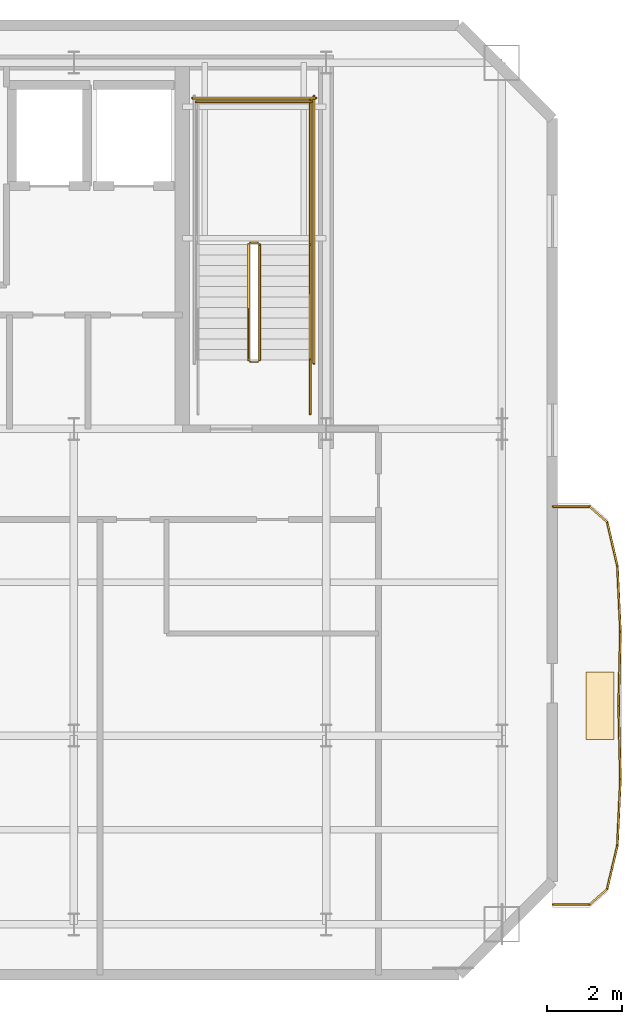
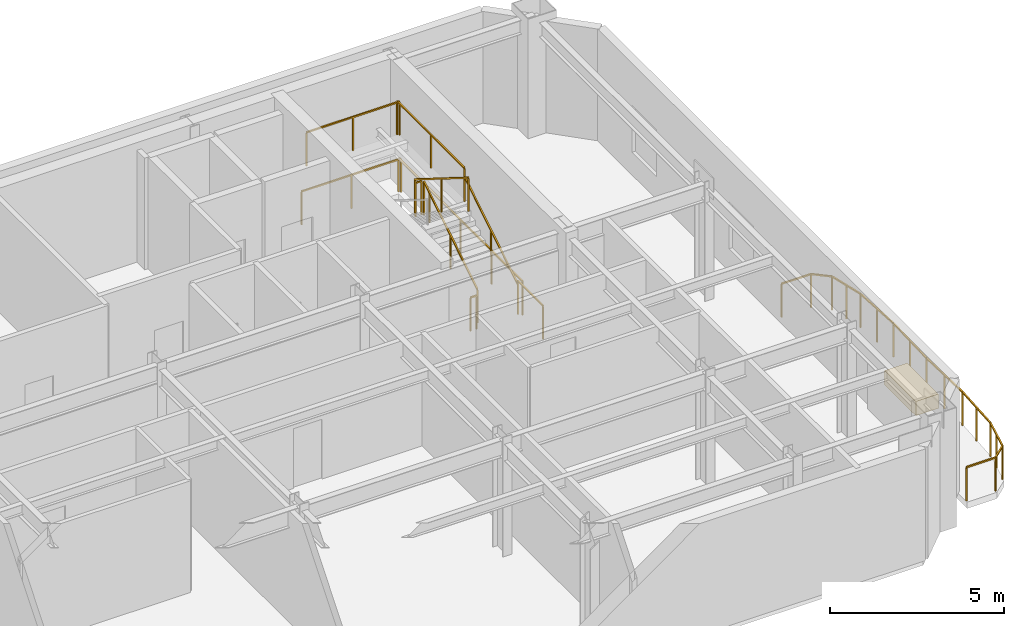
# One storey, part 6 of 6: 20 railings, 1 covering.
"""IFC4 building model written with IfcOpenShell, lengths in metres."""

from ifc_helpers import new_model, si_unit, direction, frame, origin, origin_2d, place, context, subcontext, project, spatial, rectangle, extrude, material, layer, layer_set, type_object, element, save


model = new_model("IFC4")

# Units and contexts
model_context = context("Model", 3, precision=1e-05, world=origin(), true_north=direction((0.0, 1.0)))
body_context = subcontext(model_context, "Body", "Model", "MODEL_VIEW")
ifc_project = project(units=[si_unit("LENGTHUNIT", "METRE"), si_unit("AREAUNIT", "SQUARE_METRE"), si_unit("VOLUMEUNIT", "CUBIC_METRE"), si_unit("PLANEANGLEUNIT", "RADIAN"), si_unit("MASSUNIT", "GRAM", prefix="KILO")], contexts=[model_context])

# Site, building, storey
site_placement = place(None, origin())
site = spatial("IfcSite", under=ifc_project, at=site_placement, CompositionType="ELEMENT")
building_placement = place(site_placement, origin())
building = spatial("IfcBuilding", under=site, at=building_placement, Name="Haevon Station Towers", CompositionType="ELEMENT")
storey_placement = place(building_placement, frame((0.0, 0.0, 265.800048828125)))
storey = spatial("IfcBuildingStorey", under=building, at=storey_placement, Name="L74", CompositionType="ELEMENT", Elevation=265.800048828125)

# Railings
ifc_material_1 = material(Name="Steel S355", Category="steel")
railing_type_1 = type_object("IfcRailingType", Name="GRD-EXT1200", PredefinedType="GUARDRAIL", material=ifc_material_1)
railing_1_placement = place(storey_placement, frame((57.0732421875, 25.477783203125, 0.0)))
element("IfcRailing", 1, at=railing_1_placement, inside=storey, type_object=railing_type_1, Name="L74 Perimeter Guardrail 1", PredefinedType="GUARDRAIL", context=body_context, shape_type="SweptSolid", body=[
    extrude(rectangle(XDim=0.048095703125, YDim=0.048095703125, at=origin_2d()), frame((0.0, 0.0, 1.17578125), z_axis=(0.999997457331, 0.002255068182, 0.0), x_axis=(-0.002255068182, 0.999997457331, 0.0)), (0.0, 0.0, 1.0), 0.974365234375),
    extrude(rectangle(XDim=0.0419921875, YDim=0.0419921875, at=origin_2d()), origin(), (0.0, 0.0, 1.0), 1.15185546875),
    extrude(rectangle(XDim=0.0419921875, YDim=0.0419921875, at=origin_2d()), frame((0.974365234375, 0.002197265625, 0.0)), (0.0, 0.0, 1.0), 1.15185546875),
])
railing_2_placement = place(storey_placement, frame((58.047607421875, 25.47998046875, 0.0)))
element("IfcRailing", 2, at=railing_2_placement, inside=storey, type_object=railing_type_1, Name="L74 Perimeter Guardrail 2", PredefinedType="GUARDRAIL", context=body_context, shape_type="SweptSolid", body=[
    extrude(rectangle(XDim=0.048095703125, YDim=0.048095703125, at=origin_2d()), frame((0.0, 0.0, 1.17578125), z_axis=(0.75114132287, 0.660141434146, 0.0), x_axis=(-0.660141434146, 0.75114132287, 0.0)), (0.0, 0.0, 1.0), 0.622314453125),
    extrude(rectangle(XDim=0.0419921875, YDim=0.0419921875, at=origin_2d()), origin(), (0.0, 0.0, 1.0), 1.15185546875),
    extrude(rectangle(XDim=0.0419921875, YDim=0.0419921875, at=origin_2d()), frame((0.467529296875, 0.410888671875, 0.0)), (0.0, 0.0, 1.0), 1.15185546875),
])
railing_3_placement = place(storey_placement, frame((58.51513671875, 25.890869140625, 0.0)))
element("IfcRailing", 3, at=railing_3_placement, inside=storey, type_object=railing_type_1, Name="L74 Perimeter Guardrail 3", PredefinedType="GUARDRAIL", context=body_context, shape_type="SweptSolid", body=[
    extrude(rectangle(XDim=0.048095703125, YDim=0.048095703125, at=origin_2d()), frame((0.0, 0.0, 1.17578125), z_axis=(0.227351646646, 0.97381272777, 0.0), x_axis=(-0.97381272777, 0.227351646646, 0.0)), (0.0, 0.0, 1.0), 1.20166015625),
    extrude(rectangle(XDim=0.0419921875, YDim=0.0419921875, at=origin_2d()), origin(), (0.0, 0.0, 1.0), 1.15185546875),
    extrude(rectangle(XDim=0.0419921875, YDim=0.0419921875, at=origin_2d()), frame((0.13671875, 0.5849609375, 0.0)), (0.0, 0.0, 1.0), 1.15185546875),
    extrude(rectangle(XDim=0.0419921875, YDim=0.0419921875, at=origin_2d()), frame((0.273193359375, 1.170166015625, 0.0)), (0.0, 0.0, 1.0), 1.15185546875),
])
railing_4_placement = place(storey_placement, frame((58.788330078125, 27.06103515625, 0.0)))
element("IfcRailing", 4, at=railing_4_placement, inside=storey, type_object=railing_type_1, Name="L74 Perimeter Guardrail 4", PredefinedType="GUARDRAIL", context=body_context, shape_type="SweptSolid", body=[
    extrude(rectangle(XDim=0.048095703125, YDim=0.048095703125, at=origin_2d()), frame((0.0, 0.0, 1.17578125), z_axis=(0.046280248454, 0.99892849524, 0.0), x_axis=(-0.99892849524, 0.046280248454, 0.0)), (0.0, 0.0, 1.0), 1.75146484375),
    extrude(rectangle(XDim=0.0419921875, YDim=0.0419921875, at=origin_2d()), origin(), (0.0, 0.0, 1.0), 1.15185546875),
    extrude(rectangle(XDim=0.0419921875, YDim=0.0419921875, at=origin_2d()), frame((0.04052734375, 0.874755859375, 0.0)), (0.0, 0.0, 1.0), 1.15185546875),
    extrude(rectangle(XDim=0.0419921875, YDim=0.0419921875, at=origin_2d()), frame((0.0810546875, 1.74951171875, 0.0)), (0.0, 0.0, 1.0), 1.15185546875),
])
railing_5_placement = place(storey_placement, frame((58.869384765625, 28.810546875, 0.0)))
element("IfcRailing", 5, at=railing_5_placement, inside=storey, type_object=railing_type_1, Name="L74 Perimeter Guardrail 5", PredefinedType="GUARDRAIL", context=body_context, shape_type="SweptSolid", body=[
    extrude(rectangle(XDim=0.048095703125, YDim=0.048095703125, at=origin_2d()), frame((0.0, 0.0, 1.17578125), z_axis=(-0.02416768438, 0.99970791886, 0.0), x_axis=(-0.99970791886, -0.02416768438, 0.0)), (0.0, 0.0, 1.0), 1.989990234375),
    extrude(rectangle(XDim=0.0419921875, YDim=0.0419921875, at=origin_2d()), origin(), (0.0, 0.0, 1.0), 1.15185546875),
    extrude(rectangle(XDim=0.0419921875, YDim=0.0419921875, at=origin_2d()), frame((-0.02392578125, 0.99462890625, 0.0)), (0.0, 0.0, 1.0), 1.15185546875),
    extrude(rectangle(XDim=0.0419921875, YDim=0.0419921875, at=origin_2d()), frame((-0.048095703125, 1.989501953125, 0.0)), (0.0, 0.0, 1.0), 1.15185546875),
])
railing_6_placement = place(storey_placement, frame((58.8212890625, 30.800048828125, 0.0)))
element("IfcRailing", 6, at=railing_6_placement, inside=storey, type_object=railing_type_1, Name="L74 Perimeter Guardrail 6", PredefinedType="GUARDRAIL", context=body_context, shape_type="SweptSolid", body=[
    extrude(rectangle(XDim=0.048095703125, YDim=0.048095703125, at=origin_2d()), frame((0.0, 0.0, 1.17578125), z_axis=(0.024170648736, 0.999707847193, 0.0), x_axis=(-0.999707847193, 0.024170648736, 0.0)), (0.0, 0.0, 1.0), 1.98974609375),
    extrude(rectangle(XDim=0.0419921875, YDim=0.0419921875, at=origin_2d()), origin(), (0.0, 0.0, 1.0), 1.15185546875),
    extrude(rectangle(XDim=0.0419921875, YDim=0.0419921875, at=origin_2d()), frame((0.02392578125, 0.99462890625, 0.0)), (0.0, 0.0, 1.0), 1.15185546875),
    extrude(rectangle(XDim=0.0419921875, YDim=0.0419921875, at=origin_2d()), frame((0.048095703125, 1.9892578125, 0.0)), (0.0, 0.0, 1.0), 1.15185546875),
])
railing_7_placement = place(storey_placement, frame((58.869384765625, 32.789306640625, 0.0)))
element("IfcRailing", 7, at=railing_7_placement, inside=storey, type_object=railing_type_1, Name="L74 Perimeter Guardrail 7", PredefinedType="GUARDRAIL", context=body_context, shape_type="SweptSolid", body=[
    extrude(rectangle(XDim=0.048095703125, YDim=0.048095703125, at=origin_2d()), frame((0.0, 0.0, 1.17578125), z_axis=(-0.046273804873, 0.99892879375, 0.0), x_axis=(-0.99892879375, -0.046273804873, 0.0)), (0.0, 0.0, 1.0), 1.751708984375),
    extrude(rectangle(XDim=0.0419921875, YDim=0.0419921875, at=origin_2d()), origin(), (0.0, 0.0, 1.0), 1.15185546875),
    extrude(rectangle(XDim=0.0419921875, YDim=0.0419921875, at=origin_2d()), frame((-0.04052734375, 0.875, 0.0)), (0.0, 0.0, 1.0), 1.15185546875),
    extrude(rectangle(XDim=0.0419921875, YDim=0.0419921875, at=origin_2d()), frame((-0.0810546875, 1.749755859375, 0.0)), (0.0, 0.0, 1.0), 1.15185546875),
])
railing_8_placement = place(storey_placement, frame((58.788330078125, 34.5390625, 0.0)))
element("IfcRailing", 8, at=railing_8_placement, inside=storey, type_object=railing_type_1, Name="L74 Perimeter Guardrail 8", PredefinedType="GUARDRAIL", context=body_context, shape_type="SweptSolid", body=[
    extrude(rectangle(XDim=0.048095703125, YDim=0.048095703125, at=origin_2d()), frame((0.0, 0.0, 1.17578125), z_axis=(-0.227396637596, 0.973802222841, 0.0), x_axis=(-0.973802222841, -0.227396637596, 0.0)), (0.0, 0.0, 1.0), 1.201416015625),
    extrude(rectangle(XDim=0.0419921875, YDim=0.0419921875, at=origin_2d()), origin(), (0.0, 0.0, 1.0), 1.15185546875),
    extrude(rectangle(XDim=0.0419921875, YDim=0.0419921875, at=origin_2d()), frame((-0.13671875, 0.5849609375, 0.0)), (0.0, 0.0, 1.0), 1.15185546875),
    extrude(rectangle(XDim=0.0419921875, YDim=0.0419921875, at=origin_2d()), frame((-0.273193359375, 1.169921875, 0.0)), (0.0, 0.0, 1.0), 1.15185546875),
])
railing_9_placement = place(storey_placement, frame((58.51513671875, 35.708984375, 0.0)))
element("IfcRailing", 9, at=railing_9_placement, inside=storey, type_object=railing_type_1, Name="L74 Perimeter Guardrail 9", PredefinedType="GUARDRAIL", context=body_context, shape_type="SweptSolid", body=[
    extrude(rectangle(XDim=0.048095703125, YDim=0.048095703125, at=origin_2d()), frame((0.0, 0.0, 1.17578125), z_axis=(-0.750946844262, 0.660362655738, 0.0), x_axis=(-0.660362655738, -0.750946844262, 0.0)), (0.0, 0.0, 1.0), 0.62255859375),
    extrude(rectangle(XDim=0.0419921875, YDim=0.0419921875, at=origin_2d()), origin(), (0.0, 0.0, 1.0), 1.15185546875),
    extrude(rectangle(XDim=0.0419921875, YDim=0.0419921875, at=origin_2d()), frame((-0.467529296875, 0.4111328125, 0.0)), (0.0, 0.0, 1.0), 1.15185546875),
])
railing_10_placement = place(storey_placement, frame((58.047607421875, 36.1201171875, 0.0)))
element("IfcRailing", 10, at=railing_10_placement, inside=storey, type_object=railing_type_1, Name="L74 Perimeter Guardrail 10", PredefinedType="GUARDRAIL", context=body_context, shape_type="SweptSolid", body=[
    extrude(rectangle(XDim=0.048095703125, YDim=0.048095703125, at=origin_2d()), frame((0.0, 0.0, 1.17578125), z_axis=(-0.999997990976, 0.002004506121, 0.0), x_axis=(-0.002004506121, -0.999997990976, 0.0)), (0.0, 0.0, 1.0), 0.974365234375),
    extrude(rectangle(XDim=0.0419921875, YDim=0.0419921875, at=origin_2d()), origin(), (0.0, 0.0, 1.0), 1.15185546875),
    extrude(rectangle(XDim=0.0419921875, YDim=0.0419921875, at=origin_2d()), frame((-0.974365234375, 0.001953125, 0.0)), (0.0, 0.0, 1.0), 1.15185546875),
])
railing_type_2 = type_object("IfcRailingType", Name="GRD-STR1200", PredefinedType="GUARDRAIL", material=ifc_material_1)
railing_11_placement = place(storey_placement, frame((49.219970703125, 40.050048828125, 0.175048828125)))
element("IfcRailing", 11, at=railing_11_placement, inside=storey, type_object=railing_type_2, Name="L74 ST2 Stair Guard 1", PredefinedType="GUARDRAIL", context=body_context, shape_type="SweptSolid", body=[
    extrude(rectangle(XDim=0.048095703125, YDim=0.048095703125, at=origin_2d()), frame((0.0, 0.0, 1.17578125), z_axis=(0.0, 0.848009633417, 0.529980812513), x_axis=(-1.0, 0.0, 0.0)), (0.0, 0.0, 1.0), 3.6318359375),
    extrude(rectangle(XDim=0.0419921875, YDim=0.0419921875, at=origin_2d()), origin(), (0.0, 0.0, 1.0), 1.15185546875),
    extrude(rectangle(XDim=0.0419921875, YDim=0.0419921875, at=origin_2d()), frame((0.0, 1.5400390625, 0.96240234375)), (0.0, 0.0, 1.0), 1.15185546875),
    extrude(rectangle(XDim=0.0419921875, YDim=0.0419921875, at=origin_2d()), frame((0.0, 3.079833984375, 1.9248046875)), (0.0, 0.0, 1.0), 1.15185546875),
])
railing_12_placement = place(storey_placement, frame((49.169921875, 43.179931640625, 2.099853515625)))
element("IfcRailing", 12, at=railing_12_placement, inside=storey, type_object=railing_type_2, Name="L74 ST2 Stair Guard 2", PredefinedType="GUARDRAIL", context=body_context, shape_type="SweptSolid", body=[
    extrude(rectangle(XDim=0.048095703125, YDim=0.048095703125, at=origin_2d()), frame((0.0, 0.0, 1.17578125), z_axis=(-1.0, 0.0, 0.0), x_axis=(0.0, -1.0, 0.0)), (0.0, 0.0, 1.0), 0.199951171875),
    extrude(rectangle(XDim=0.0419921875, YDim=0.0419921875, at=origin_2d()), origin(), (0.0, 0.0, 1.0), 1.15185546875),
    extrude(rectangle(XDim=0.0419921875, YDim=0.0419921875, at=origin_2d()), frame((-0.199951171875, 0.0, 0.0)), (0.0, 0.0, 1.0), 1.15185546875),
])
railing_13_placement = place(storey_placement, frame((50.570068359375, 43.1298828125, 2.099853515625)))
element("IfcRailing", 13, at=railing_13_placement, inside=storey, type_object=railing_type_2, Name="L74 ST2 Stair Guard 3", PredefinedType="GUARDRAIL", context=body_context, shape_type="SweptSolid", body=[
    extrude(rectangle(XDim=0.048095703125, YDim=0.048095703125, at=origin_2d()), frame((0.0, 0.0, 1.17578125), z_axis=(0.0, 1.0, 0.0), x_axis=(-1.0, 0.0, 0.0)), (0.0, 0.0, 1.0), 3.8701171875),
    extrude(rectangle(XDim=0.0419921875, YDim=0.0419921875, at=origin_2d()), origin(), (0.0, 0.0, 1.0), 1.15185546875),
    extrude(rectangle(XDim=0.0419921875, YDim=0.0419921875, at=origin_2d()), frame((0.0, 1.93505859375, 0.0)), (0.0, 0.0, 1.0), 1.15185546875),
    extrude(rectangle(XDim=0.0419921875, YDim=0.0419921875, at=origin_2d()), frame((0.0, 3.8701171875, 0.0)), (0.0, 0.0, 1.0), 1.15185546875),
])
railing_14_placement = place(storey_placement, frame((50.6201171875, 46.949951171875, 2.099853515625)))
element("IfcRailing", 14, at=railing_14_placement, inside=storey, type_object=railing_type_2, Name="L74 ST2 Stair Guard 5", PredefinedType="GUARDRAIL", context=body_context, shape_type="SweptSolid", body=[
    extrude(rectangle(XDim=0.048095703125, YDim=0.048095703125, at=origin_2d()), frame((0.0, 0.0, 1.17578125), z_axis=(-1.0, 0.0, 0.0), x_axis=(0.0, -1.0, 0.0)), (0.0, 0.0, 1.0), 3.10009765625),
    extrude(rectangle(XDim=0.0419921875, YDim=0.0419921875, at=origin_2d()), origin(), (0.0, 0.0, 1.0), 1.15185546875),
    extrude(rectangle(XDim=0.0419921875, YDim=0.0419921875, at=origin_2d()), frame((-1.550048828125, 0.0, 0.0)), (0.0, 0.0, 1.0), 1.15185546875),
    extrude(rectangle(XDim=0.0419921875, YDim=0.0419921875, at=origin_2d()), frame((-3.10009765625, 0.0, 0.0)), (0.0, 0.0, 1.0), 1.15185546875),
])
railing_15_placement = place(storey_placement, frame((48.919921875, 43.1298828125, 2.27490234375)))
element("IfcRailing", 15, at=railing_15_placement, inside=storey, type_object=railing_type_2, Name="L74 ST2 Stair Guard 6", PredefinedType="GUARDRAIL", context=body_context, shape_type="SweptSolid", body=[
    extrude(rectangle(XDim=0.048095703125, YDim=0.048095703125, at=origin_2d()), frame((0.0, 0.0, 1.17578125), z_axis=(0.0, -0.847979421464, 0.530029150871), x_axis=(1.0, 0.0, 0.0)), (0.0, 0.0, 1.0), 3.632080078125),
    extrude(rectangle(XDim=0.0419921875, YDim=0.0419921875, at=origin_2d()), origin(), (0.0, 0.0, 1.0), 1.15185546875),
    extrude(rectangle(XDim=0.0419921875, YDim=0.0419921875, at=origin_2d()), frame((0.0, -1.5400390625, 0.96240234375)), (0.0, 0.0, 1.0), 1.15185546875),
    extrude(rectangle(XDim=0.0419921875, YDim=0.0419921875, at=origin_2d()), frame((0.0, -3.079833984375, 1.925048828125)), (0.0, 0.0, 1.0), 1.15185546875),
])
railing_16_placement = place(storey_placement, frame((49.169921875, 40.0, 0.0)))
element("IfcRailing", 16, at=railing_16_placement, inside=storey, type_object=railing_type_2, Name="L74 ST2 Stair Guard 7", PredefinedType="GUARDRAIL", context=body_context, shape_type="SweptSolid", body=[
    extrude(rectangle(XDim=0.048095703125, YDim=0.048095703125, at=origin_2d()), frame((0.0, 0.0, 1.17578125), z_axis=(-1.0, 0.0, 0.0), x_axis=(0.0, -1.0, 0.0)), (0.0, 0.0, 1.0), 0.199951171875),
    extrude(rectangle(XDim=0.0419921875, YDim=0.0419921875, at=origin_2d()), origin(), (0.0, 0.0, 1.0), 1.15185546875),
    extrude(rectangle(XDim=0.0419921875, YDim=0.0419921875, at=origin_2d()), frame((-0.199951171875, 0.0, 0.0)), (0.0, 0.0, 1.0), 1.15185546875),
])
railing_17_placement = place(storey_placement, frame((50.570068359375, 38.60009765625, 0.0)))
element("IfcRailing", 17, at=railing_17_placement, inside=storey, type_object=railing_type_2, Name="L74 ST2 Stair Guard 8", PredefinedType="GUARDRAIL", context=body_context, shape_type="SweptSolid", body=[
    extrude(rectangle(XDim=0.048095703125, YDim=0.048095703125, at=origin_2d()), frame((0.0, 0.0, 1.17578125), z_axis=(0.0, 1.0, 0.0), x_axis=(-1.0, 0.0, 0.0)), (0.0, 0.0, 1.0), 1.449951171875),
    extrude(rectangle(XDim=0.0419921875, YDim=0.0419921875, at=origin_2d()), origin(), (0.0, 0.0, 1.0), 1.15185546875),
    extrude(rectangle(XDim=0.0419921875, YDim=0.0419921875, at=origin_2d()), frame((0.0, 1.449951171875, 0.0)), (0.0, 0.0, 1.0), 1.15185546875),
])
railing_18_placement = place(storey_placement, frame((50.669921875, 39.949951171875, 0.0)))
element("IfcRailing", 18, at=railing_18_placement, inside=storey, type_object=railing_type_2, Name="L74 ST2 Stair Guard 10", PredefinedType="GUARDRAIL", context=body_context, shape_type="SweptSolid", body=[
    extrude(rectangle(XDim=0.048095703125, YDim=0.048095703125, at=origin_2d()), frame((0.0, 0.0, 1.17578125), z_axis=(0.0, 1.0, 0.0), x_axis=(-1.0, 0.0, 0.0)), (0.0, 0.0, 1.0), 7.150146484375),
    extrude(rectangle(XDim=0.0419921875, YDim=0.0419921875, at=origin_2d()), origin(), (0.0, 0.0, 1.0), 1.15185546875),
    extrude(rectangle(XDim=0.0419921875, YDim=0.0419921875, at=origin_2d()), frame((0.0, 1.78759765625, 0.0)), (0.0, 0.0, 1.0), 1.15185546875),
    extrude(rectangle(XDim=0.0419921875, YDim=0.0419921875, at=origin_2d()), frame((0.0, 3.5751953125, 0.0)), (0.0, 0.0, 1.0), 1.15185546875),
    extrude(rectangle(XDim=0.0419921875, YDim=0.0419921875, at=origin_2d()), frame((0.0, 5.362548828125, 0.0)), (0.0, 0.0, 1.0), 1.15185546875),
    extrude(rectangle(XDim=0.0419921875, YDim=0.0419921875, at=origin_2d()), frame((0.0, 7.150146484375, 0.0)), (0.0, 0.0, 1.0), 1.15185546875),
])
railing_19_placement = place(storey_placement, frame((50.719970703125, 47.050048828125, 0.0)))
element("IfcRailing", 19, at=railing_19_placement, inside=storey, type_object=railing_type_2, Name="L74 ST2 Stair Guard 12", PredefinedType="GUARDRAIL", context=body_context, shape_type="SweptSolid", body=[
    extrude(rectangle(XDim=0.048095703125, YDim=0.048095703125, at=origin_2d()), frame((0.0, 0.0, 1.17578125), z_axis=(-1.0, 0.0, 0.0), x_axis=(0.0, -1.0, 0.0)), (0.0, 0.0, 1.0), 3.300048828125),
    extrude(rectangle(XDim=0.0419921875, YDim=0.0419921875, at=origin_2d()), origin(), (0.0, 0.0, 1.0), 1.15185546875),
    extrude(rectangle(XDim=0.0419921875, YDim=0.0419921875, at=origin_2d()), frame((-1.64990234375, 0.0, 0.0)), (0.0, 0.0, 1.0), 1.15185546875),
    extrude(rectangle(XDim=0.0419921875, YDim=0.0419921875, at=origin_2d()), frame((-3.300048828125, 0.0, 0.0)), (0.0, 0.0, 1.0), 1.15185546875),
])
railing_type_3 = type_object("IfcRailingType", Name="HND-STR900", PredefinedType="HANDRAIL", material=ifc_material_1)
railing_20_placement = place(storey_placement, frame((50.570068359375, 40.050048828125, 0.175048828125)))
element("IfcRailing", 20, at=railing_20_placement, inside=storey, type_object=railing_type_3, Name="L74 ST2 Stair Handrail 1", PredefinedType="HANDRAIL", context=body_context, shape_type="SweptSolid", body=[
    extrude(rectangle(XDim=0.048095703125, YDim=0.048095703125, at=origin_2d()), frame((0.0, 0.0, 0.8759765625), z_axis=(0.0, 0.848009633417, 0.529980812513), x_axis=(-1.0, 0.0, 0.0)), (0.0, 0.0, 1.0), 3.6318359375),
    extrude(rectangle(XDim=0.0419921875, YDim=0.0419921875, at=origin_2d()), origin(), (0.0, 0.0, 1.0), 0.851806640625),
    extrude(rectangle(XDim=0.0419921875, YDim=0.0419921875, at=origin_2d()), frame((0.0, 1.5400390625, 0.96240234375)), (0.0, 0.0, 1.0), 0.851806640625),
    extrude(rectangle(XDim=0.0419921875, YDim=0.0419921875, at=origin_2d()), frame((0.0, 3.079833984375, 1.9248046875)), (0.0, 0.0, 1.0), 0.851806640625),
])

# Covering
ifc_material_2 = material(Name="Architectural planter GRC", Category="concrete")
ifc_layer = layer(ifc_material_2, 0.550048828125)
ifc_layer_set = layer_set([ifc_layer], Name="Architectural planter GRC")
covering_type = type_object("IfcCoveringType", Name="PLN-GRC550", PredefinedType="MOLDING", material=ifc_layer_set)
covering_placement = place(storey_placement, frame((58.3193359375, 30.800048828125, 0.0), z_axis=(0.0, 0.0, 1.0), x_axis=(1.0, 0.0, 0.0)))
element("IfcCovering", 21, at=covering_placement, inside=storey, type_object=covering_type, Name="Tower 1 L74 Scalloped Balcony PLANTER", PredefinedType="MOLDING", context=body_context, shape_type="SweptSolid", body=[
    extrude(rectangle(XDim=0.75, YDim=1.800048828125, at=origin_2d()), origin(), (0.0, 0.0, 1.0), 0.5),
])

save(model, "model.ifc")
